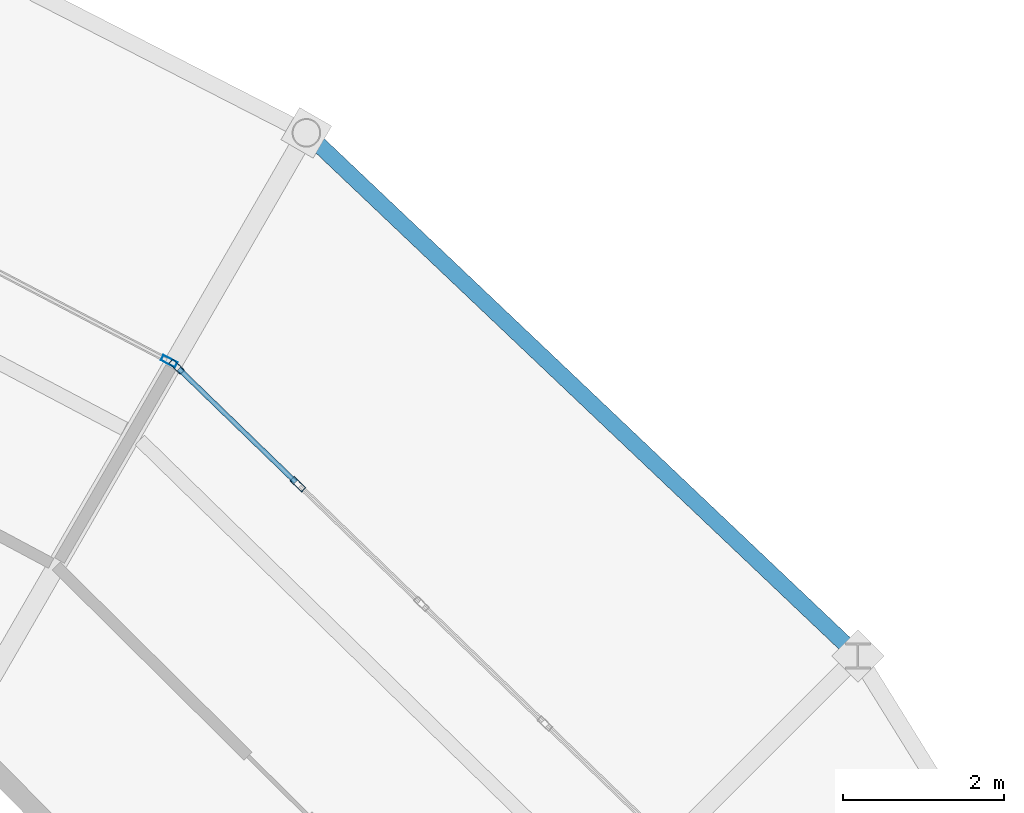
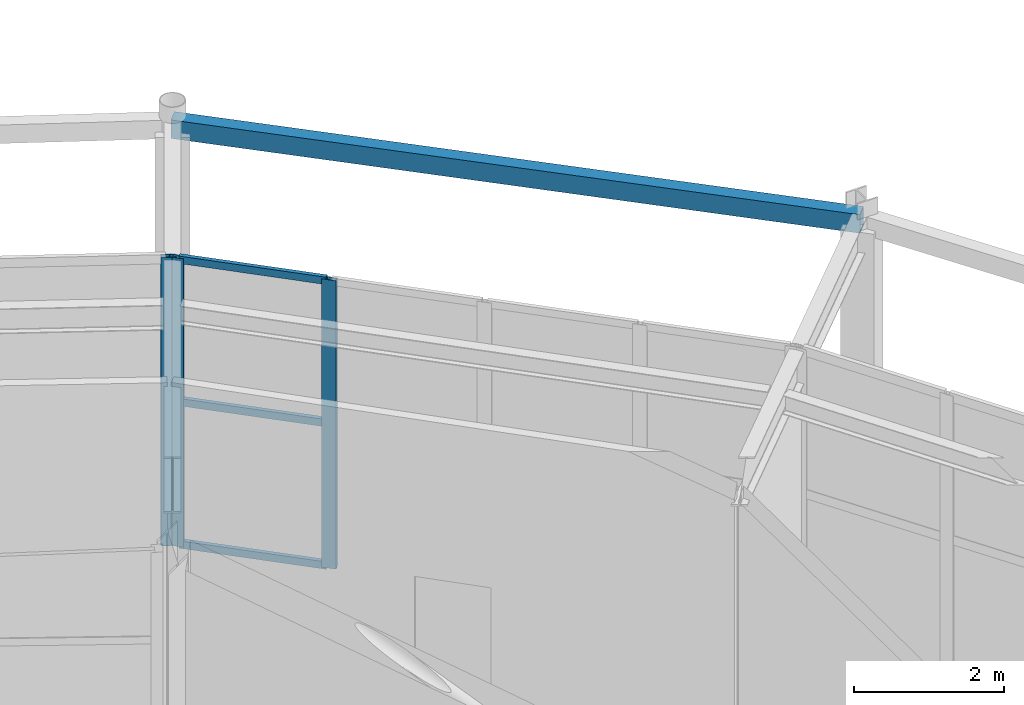
# One storey, part 91 of 144: 6 members, 1 beam, 2 elements without a shape of their own.
"""IFC4 building model written with IfcOpenShell, lengths in metres."""

from ifc_helpers import new_model, si_unit, direction, frame, origin, origin_2d, place, context, subcontext, project, spatial, hollow_rectangle, extrude, material, material_profile, profile_set, type_object, element, aggregate, save


model = new_model("IFC4")

# Units and contexts
model_context = context("Model", 3, precision=1e-05, world=origin(), true_north=direction((0.0, 1.0)))
body_context = subcontext(model_context, "Body", "Model", "MODEL_VIEW")
ifc_project = project(units=[si_unit("LENGTHUNIT", "METRE"), si_unit("AREAUNIT", "SQUARE_METRE"), si_unit("VOLUMEUNIT", "CUBIC_METRE"), si_unit("PLANEANGLEUNIT", "RADIAN"), si_unit("MASSUNIT", "GRAM", prefix="KILO")], contexts=[model_context])

# Site, building, storey
site_placement = place(None, origin())
site = spatial("IfcSite", under=ifc_project, at=site_placement, CompositionType="ELEMENT")
building_placement = place(site_placement, origin())
building = spatial("IfcBuilding", under=site, at=building_placement, Name="Karori Crest Natural Sciences Institute", CompositionType="ELEMENT")
storey_placement = place(building_placement, origin())
storey = spatial("IfcBuildingStorey", under=building, at=storey_placement, Name="L00", CompositionType="ELEMENT", Elevation=0.0)

# Beam
ifc_material_1 = material(Name="Hollow structural steel AS/NZS 1163 Grade C350", Category="steel")
ifc_material_profile_1 = material_profile(ifc_material_1, hollow_rectangle(XDim=0.199951171875, YDim=0.300048828125, WallThickness=0.010009765625, at=origin_2d()), Name="RHS300x200x10")
ifc_profile_set_1 = profile_set([ifc_material_profile_1], Name="Hollow structural steel AS/NZS 1163 Grade C350")
beam_type = type_object("IfcBeamType", Name="BT-15", PredefinedType="SPANDREL", material=ifc_profile_set_1)
beam_placement = place(storey_placement, frame((89.734619140625, 78.75, 4.489990234375), z_axis=(-0.725481282589, 0.688241896874, 0.0), x_axis=(-0.688241896874, -0.725481282589, 0.0)))
element("IfcBeam", 1, at=beam_placement, inside=storey, type_object=beam_type, Name="Beam B-0101", PredefinedType="SPANDREL", context=body_context, shape_type="SweptSolid", body=[
    extrude(hollow_rectangle(XDim=0.199951171875, YDim=0.300048828125, WallThickness=0.010009765625, at=origin_2d()), origin(), (0.0, 0.0, 1.0), 9.4208984375),
])

# Curtain wall, members
ifc_material_2 = material(Name="Anodised architectural aluminium 6063-T6", Category="aluminium")
curtain_wall_type_1 = type_object("IfcCurtainWallType", Name="CWT-04", PredefinedType="NOTDEFINED", material=ifc_material_2)
curtain_wall_1_placement = place(storey_placement, origin())
curtain_wall_1 = element("IfcCurtainWall", 2, at=curtain_wall_1_placement, inside=storey, type_object=curtain_wall_type_1, Name="Curtain wall CW-0005", PredefinedType="NOTDEFINED")
ifc_material_profile_2 = material_profile(ifc_material_2, hollow_rectangle(XDim=0.074951171875, YDim=0.199951171875, WallThickness=0.0048828125, at=origin_2d()), Name="CWM200x75x5")
ifc_profile_set_2 = profile_set([ifc_material_profile_2], Name="Anodised architectural aluminium 6063-T6")
member_type_1 = type_object("IfcMemberType", Name="CWM-02", PredefinedType="MULLION", material=ifc_profile_set_2)
member_1_placement = place(storey_placement, frame((81.291259765625, 82.3359375, 0.0), z_axis=(0.0, 0.0, 1.0), x_axis=(0.695838899401, 0.718197901752, 0.0)))
member_1 = element("IfcMember", 3, at=member_1_placement, type_object=member_type_1, Name="CW-0005 mullion 1", PredefinedType="MULLION", context=body_context, shape_type="SweptSolid", body=[
    extrude(hollow_rectangle(XDim=0.074951171875, YDim=0.199951171875, WallThickness=0.0048828125, at=origin_2d()), origin(), (0.0, 0.0, 1.0), 4.679931640625),
])
member_2_placement = place(storey_placement, frame((82.794921875, 80.879150390625, 0.0), z_axis=(0.0, 0.0, 1.0), x_axis=(0.695838899401, 0.718197901752, 0.0)))
member_2 = element("IfcMember", 4, at=member_2_placement, type_object=member_type_1, Name="CW-0005 mullion 2", PredefinedType="MULLION", context=body_context, shape_type="SweptSolid", body=[
    extrude(hollow_rectangle(XDim=0.074951171875, YDim=0.199951171875, WallThickness=0.0048828125, at=origin_2d()), origin(), (0.0, 0.0, 1.0), 4.679931640625),
])

# Curtain wall, member
curtain_wall_type_2 = type_object("IfcCurtainWallType", Name="CWT-05", PredefinedType="NOTDEFINED", material=ifc_material_2)
curtain_wall_2_placement = place(storey_placement, origin())
curtain_wall_2 = element("IfcCurtainWall", 5, at=curtain_wall_2_placement, inside=storey, type_object=curtain_wall_type_2, Name="Curtain wall CW-0006", PredefinedType="NOTDEFINED")
member_3_placement = place(storey_placement, frame((81.198974609375, 82.402587890625, 0.0), z_axis=(0.0, 0.0, 1.0), x_axis=(0.46342574094, 0.88613575858, 0.0)))
member_3 = element("IfcMember", 6, at=member_3_placement, type_object=member_type_1, Name="CW-0006 mullion 4", PredefinedType="MULLION", context=body_context, shape_type="SweptSolid", body=[
    extrude(hollow_rectangle(XDim=0.074951171875, YDim=0.199951171875, WallThickness=0.0048828125, at=origin_2d()), origin(), (0.0, 0.0, 1.0), 4.679931640625),
])
aggregate(curtain_wall_2, [member_3])

# Member
ifc_material_profile_3 = material_profile(ifc_material_2, hollow_rectangle(XDim=0.06005859375, YDim=0.1201171875, WallThickness=0.00390625, at=origin_2d()), Name="CWT120x60x4")
ifc_profile_set_3 = profile_set([ifc_material_profile_3], Name="Anodised architectural aluminium 6063-T6")
member_type_2 = type_object("IfcMemberType", Name="CWT-TR1", PredefinedType="USERDEFINED", material=ifc_profile_set_3)
member_4_placement = place(storey_placement, frame((81.318359375, 82.309814453125, 0.030029296875), z_axis=(0.718206221639, -0.695830312073, 0.0), x_axis=(0.695830312073, 0.718206221639, 0.0)))
member_4 = element("IfcMember", 7, at=member_4_placement, type_object=member_type_2, Name="CW-0005 transom 1.1", ObjectType="TRANSOM", PredefinedType="USERDEFINED", context=body_context, shape_type="SweptSolid", body=[
    extrude(hollow_rectangle(XDim=0.06005859375, YDim=0.1201171875, WallThickness=0.00390625, at=origin_2d()), origin(), (0.0, 0.0, 1.0), 2.0185546875),
])

member_5_placement = place(storey_placement, frame((81.318359375, 82.309814453125, 2.340087890625), z_axis=(0.718206221639, -0.695830312073, 0.0), x_axis=(0.695830312073, 0.718206221639, 0.0)))
member_5 = element("IfcMember", 8, at=member_5_placement, type_object=member_type_2, Name="CW-0005 transom 1.2", ObjectType="TRANSOM", PredefinedType="USERDEFINED", context=body_context, shape_type="SweptSolid", body=[
    extrude(hollow_rectangle(XDim=0.06005859375, YDim=0.1201171875, WallThickness=0.00390625, at=origin_2d()), origin(), (0.0, 0.0, 1.0), 2.0185546875),
])

member_6_placement = place(storey_placement, frame((81.318359375, 82.309814453125, 4.64990234375), z_axis=(0.718206221639, -0.695830312073, 0.0), x_axis=(0.695830312073, 0.718206221639, 0.0)))
member_6 = element("IfcMember", 9, at=member_6_placement, type_object=member_type_2, Name="CW-0005 transom 1.3", ObjectType="TRANSOM", PredefinedType="USERDEFINED", context=body_context, shape_type="SweptSolid", body=[
    extrude(hollow_rectangle(XDim=0.06005859375, YDim=0.1201171875, WallThickness=0.00390625, at=origin_2d()), origin(), (0.0, 0.0, 1.0), 2.0185546875),
])

aggregate(curtain_wall_1, [member_1, member_2, member_4, member_5, member_6])

save(model, "model.ifc")
